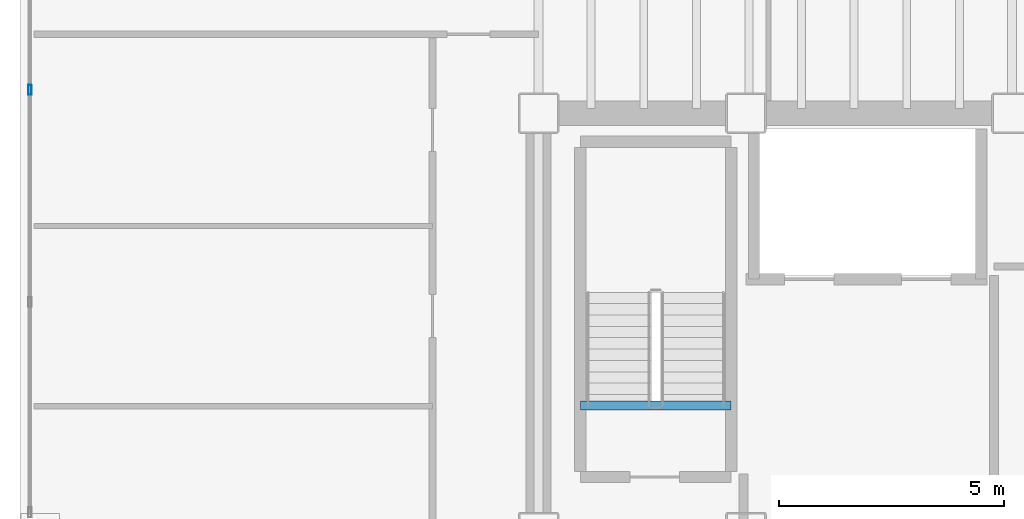
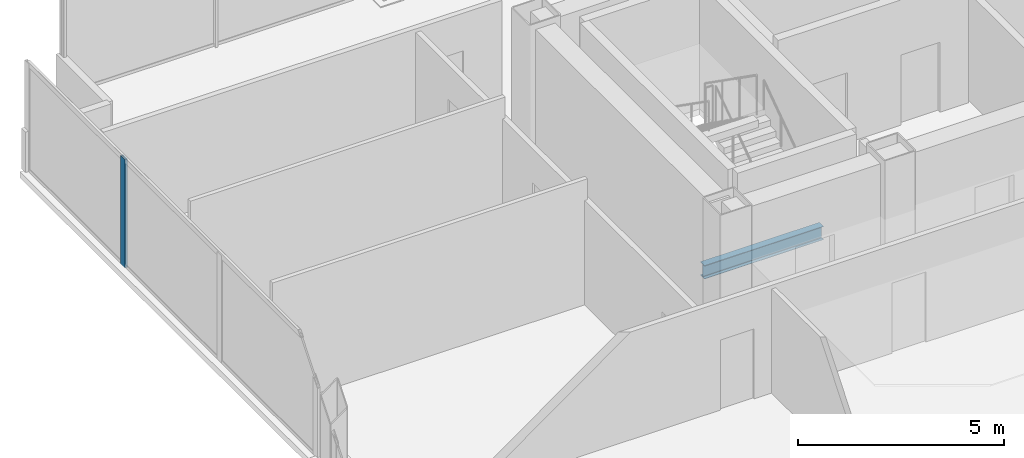
# One storey, part 7 of 19: 1 beam, 1 member, 1 element without a shape of its own.
"""IFC4 building model written with IfcOpenShell, lengths in metres."""

from ifc_helpers import new_model, si_unit, direction, frame, origin, origin_2d, place, context, subcontext, project, spatial, hollow_rectangle, i_section, extrude, material, material_profile, profile_set, type_object, element, aggregate, save


model = new_model("IFC4")

# Units and contexts
model_context = context("Model", 3, precision=1e-05, world=origin(), true_north=direction((0.0, 1.0)))
body_context = subcontext(model_context, "Body", "Model", "MODEL_VIEW")
ifc_project = project(units=[si_unit("LENGTHUNIT", "METRE"), si_unit("AREAUNIT", "SQUARE_METRE"), si_unit("VOLUMEUNIT", "CUBIC_METRE"), si_unit("PLANEANGLEUNIT", "RADIAN"), si_unit("MASSUNIT", "GRAM", prefix="KILO")], contexts=[model_context])

# Site, building, storey
site_placement = place(None, origin())
site = spatial("IfcSite", under=ifc_project, at=site_placement, CompositionType="ELEMENT")
building_placement = place(site_placement, origin())
building = spatial("IfcBuilding", under=site, at=building_placement, Name="Noeulbin Bourse Tower", CompositionType="ELEMENT")
storey_placement = place(building_placement, frame((0.0, 0.0, 150.0)))
storey = spatial("IfcBuildingStorey", under=building, at=storey_placement, Name="L37", CompositionType="ELEMENT", Elevation=150.0)

# Beam
ifc_material_1 = material(Name="Steel S355", Category="steel")
ifc_material_profile_1 = material_profile(ifc_material_1, i_section(OverallWidth=0.199951171875, OverallDepth=0.39990234375, WebThickness=0.008056640625, FlangeThickness=0.012939453125, FilletRadius=0.01611328125, at=origin_2d()), Name="H-400x200x8x13", Category="LoadBearing")
ifc_profile_set_1 = profile_set([ifc_material_profile_1], Name="Steel S355")
beam_type = type_object("IfcBeamType", Name="BM-SEC-400", PredefinedType="BEAM", material=ifc_profile_set_1)
beam_placement = place(storey_placement, frame((14.429931640625, 31.820068359375, -0.199951171875), z_axis=(1.0, 0.0, 0.0), x_axis=(0.0, 1.0, 0.0)))
element("IfcBeam", 1, at=beam_placement, inside=storey, type_object=beam_type, Name="Stair Threshold Trimmer Beam ST1-L37", PredefinedType="BEAM", context=body_context, shape_type="SweptSolid", body=[
    extrude(i_section(OverallWidth=0.199951171875, OverallDepth=0.39990234375, WebThickness=0.008056640625, FlangeThickness=0.012939453125, FilletRadius=0.01611328125, at=origin_2d()), origin(), (0.0, 0.0, 1.0), 3.340087890625),
])

# Curtain wall, member
ifc_material_2 = material(Name="Dark Tinted Triple Glazing", Category="glass")
curtain_wall_type = type_object("IfcCurtainWallType", Name="CW-SYS-3", PredefinedType="NOTDEFINED", material=ifc_material_2)
curtain_wall_placement = place(storey_placement, origin())
curtain_wall = element("IfcCurtainWall", 2, at=curtain_wall_placement, inside=storey, type_object=curtain_wall_type, Name="Unitised Curtain Wall CW-L37-W-S2", PredefinedType="NOTDEFINED")
ifc_material_3 = material(Name="Anodised Aluminium 6063-T6", Category="aluminium")
ifc_material_profile_2 = material_profile(ifc_material_3, hollow_rectangle(XDim=0.074951171875, YDim=0.219970703125, WallThickness=0.0048828125, InnerFilletRadius=0.00244140625, OuterFilletRadius=0.0048828125, at=origin_2d()), Name="ALU-MULL-75x220x5", Category="LoadBearing")
ifc_profile_set_2 = profile_set([ifc_material_profile_2], Name="Anodised Aluminium 6063-T6")
member_type = type_object("IfcMemberType", Name="CW-SYS-3-MUL", PredefinedType="MULLION", material=ifc_profile_set_2)
member_placement = place(storey_placement, frame((2.219970703125, 38.816650390625, -0.02001953125), z_axis=(0.0, 0.0, 1.0), x_axis=(1.0, 0.0, 0.0)))
member = element("IfcMember", 3, at=member_placement, type_object=member_type, Name="Curtain Wall Mullion CW-L37-W-S2-M02", PredefinedType="MULLION", context=body_context, shape_type="SweptSolid", body=[
    extrude(hollow_rectangle(XDim=0.074951171875, YDim=0.219970703125, WallThickness=0.0048828125, InnerFilletRadius=0.00244140625, OuterFilletRadius=0.0048828125, at=origin_2d()), origin(), (0.0, 0.0, 1.0), 3.219970703125),
])
aggregate(curtain_wall, [member])

save(model, "model.ifc")
